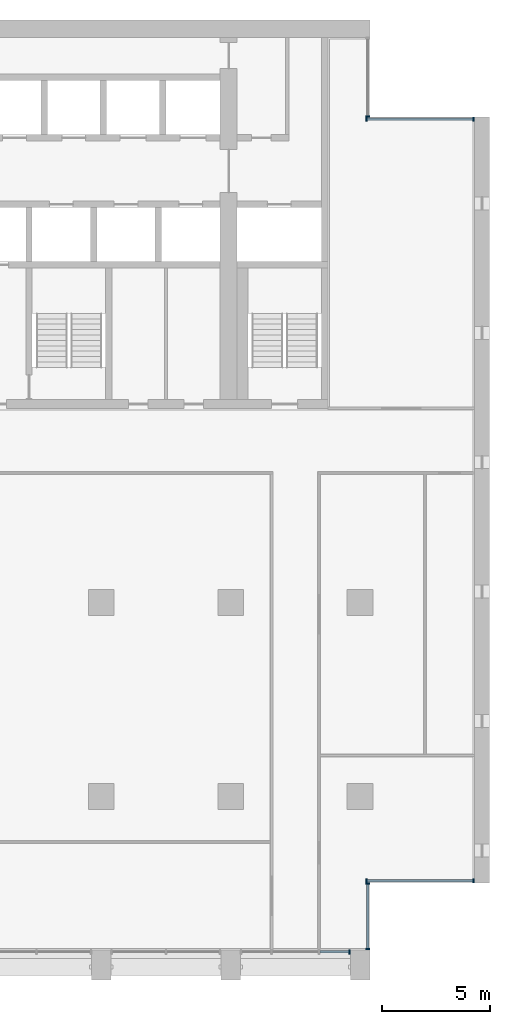
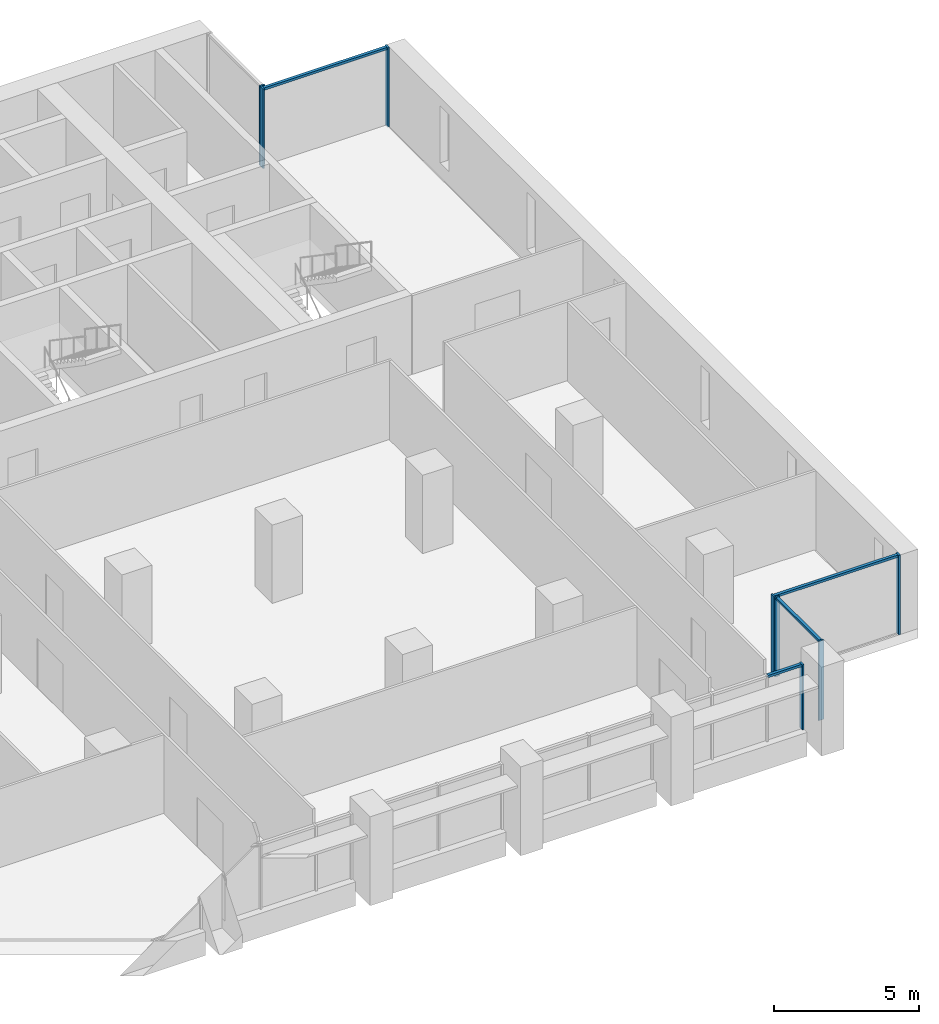
# One storey, part 5 of 15: 12 members, 5 elements without a shape of their own.
"""IFC4 building model written with IfcOpenShell, lengths in metres."""

from ifc_helpers import new_model, si_unit, direction, frame, origin, origin_2d, place, context, subcontext, project, spatial, rectangle, extrude, material, material_profile, profile_set, type_object, element, aggregate, save


model = new_model("IFC4")

# Units and contexts
model_context = context("Model", 3, precision=1e-05, world=origin(), true_north=direction((0.0, 1.0)))
body_context = subcontext(model_context, "Body", "Model", "MODEL_VIEW")
ifc_project = project(units=[si_unit("LENGTHUNIT", "METRE"), si_unit("AREAUNIT", "SQUARE_METRE"), si_unit("VOLUMEUNIT", "CUBIC_METRE"), si_unit("PLANEANGLEUNIT", "RADIAN"), si_unit("MASSUNIT", "GRAM", prefix="KILO")], contexts=[model_context])

# Site, building, storey
site_placement = place(None, origin())
site = spatial("IfcSite", under=ifc_project, at=site_placement, CompositionType="ELEMENT")
building_placement = place(site_placement, origin())
building = spatial("IfcBuilding", under=site, at=building_placement, Name="Calvaro Tower", CompositionType="ELEMENT")
storey_placement = place(building_placement, frame((0.0, 0.0, 151.25)))
storey = spatial("IfcBuildingStorey", under=building, at=storey_placement, Name="L38", CompositionType="ELEMENT", Elevation=151.25)

# Curtain wall, member
ifc_material_1 = material(Name="Anodised aluminium", Category="aluminium")
curtain_wall_type = type_object("IfcCurtainWallType", Name="Office curtain wall, middle zone", PredefinedType="NOTDEFINED", material=ifc_material_1)
curtain_wall_1_placement = place(storey_placement, origin())
curtain_wall_1 = element("IfcCurtainWall", 1, at=curtain_wall_1_placement, inside=storey, type_object=curtain_wall_type, Name="CW2 south curtain wall", PredefinedType="NOTDEFINED")
ifc_material_2 = material(Name="Anodised aluminium", Category="aluminium")
ifc_material_profile_1 = material_profile(ifc_material_2, rectangle(XDim=0.199951171875, YDim=0.070068359375, at=origin_2d()), Name="Mullion S2 70 x 200")
ifc_profile_set_1 = profile_set([ifc_material_profile_1], Name="Anodised aluminium")
member_type_1 = type_object("IfcMemberType", Name="Mullion S2 70 x 200", PredefinedType="MULLION", material=ifc_profile_set_1)
member_1_placement = place(storey_placement, frame((65.514892578125, 2.800048828125, 0.0), z_axis=(0.0, 0.0, 1.0), x_axis=(0.0, 1.0, 0.0)))
member_1 = element("IfcMember", 2, at=member_1_placement, type_object=member_type_1, Name="CW2 mullion 4", PredefinedType="MULLION", context=body_context, shape_type="SweptSolid", body=[
    extrude(rectangle(XDim=0.199951171875, YDim=0.070068359375, at=origin_2d()), origin(), (0.0, 0.0, 1.0), 2.75),
])

# Curtain wall, members
curtain_wall_2_placement = place(storey_placement, origin())
curtain_wall_2 = element("IfcCurtainWall", 3, at=curtain_wall_2_placement, inside=storey, type_object=curtain_wall_type, Name="CW2 corner curtain wall", PredefinedType="NOTDEFINED")
member_2_placement = place(storey_placement, frame((66.35009765625, 2.93505859375, 0.0), z_axis=(0.0, 0.0, 1.0), x_axis=(-1.0, 0.0, 0.0)))
member_2 = element("IfcMember", 4, at=member_2_placement, type_object=member_type_1, Name="CW2 mullion 1", PredefinedType="MULLION", context=body_context, shape_type="SweptSolid", body=[
    extrude(rectangle(XDim=0.199951171875, YDim=0.070068359375, at=origin_2d()), origin(), (0.0, 0.0, 1.0), 3.35009765625),
])
member_3_placement = place(storey_placement, frame((66.35009765625, 5.965087890625, 0.0), z_axis=(0.0, 0.0, 1.0), x_axis=(-1.0, 0.0, 0.0)))
member_3 = element("IfcMember", 5, at=member_3_placement, type_object=member_type_1, Name="CW2 mullion 2", PredefinedType="MULLION", context=body_context, shape_type="SweptSolid", body=[
    extrude(rectangle(XDim=0.199951171875, YDim=0.070068359375, at=origin_2d()), origin(), (0.0, 0.0, 1.0), 3.35009765625),
])

curtain_wall_3_placement = place(storey_placement, origin())
curtain_wall_3 = element("IfcCurtainWall", 6, at=curtain_wall_3_placement, inside=storey, type_object=curtain_wall_type, Name="CW2 corner curtain wall", PredefinedType="NOTDEFINED")
member_4_placement = place(storey_placement, frame((66.284912109375, 6.10009765625, 0.0), z_axis=(0.0, 0.0, 1.0), x_axis=(0.0, 1.0, 0.0)))
member_4 = element("IfcMember", 7, at=member_4_placement, type_object=member_type_1, Name="CW2 mullion 1", PredefinedType="MULLION", context=body_context, shape_type="SweptSolid", body=[
    extrude(rectangle(XDim=0.199951171875, YDim=0.070068359375, at=origin_2d()), origin(), (0.0, 0.0, 1.0), 3.35009765625),
])
member_5_placement = place(storey_placement, frame((71.264892578125, 6.10009765625, 0.0), z_axis=(0.0, 0.0, 1.0), x_axis=(0.0, 1.0, 0.0)))
member_5 = element("IfcMember", 8, at=member_5_placement, type_object=member_type_1, Name="CW2 mullion 2", PredefinedType="MULLION", context=body_context, shape_type="SweptSolid", body=[
    extrude(rectangle(XDim=0.199951171875, YDim=0.070068359375, at=origin_2d()), origin(), (0.0, 0.0, 1.0), 3.35009765625),
])

# Curtain wall, member
curtain_wall_4_placement = place(storey_placement, origin())
curtain_wall_4 = element("IfcCurtainWall", 9, at=curtain_wall_4_placement, inside=storey, type_object=curtain_wall_type, Name="CW2 corner curtain wall", PredefinedType="NOTDEFINED")
member_6_placement = place(storey_placement, frame((66.35009765625, 41.534912109375, 0.0), z_axis=(0.0, 0.0, 1.0), x_axis=(-1.0, 0.0, 0.0)))
member_6 = element("IfcMember", 10, at=member_6_placement, type_object=member_type_1, Name="CW2 mullion 1", PredefinedType="MULLION", context=body_context, shape_type="SweptSolid", body=[
    extrude(rectangle(XDim=0.199951171875, YDim=0.070068359375, at=origin_2d()), origin(), (0.0, 0.0, 1.0), 3.35009765625),
])
aggregate(curtain_wall_4, [member_6])

# Curtain wall, members
curtain_wall_5_placement = place(storey_placement, origin())
curtain_wall_5 = element("IfcCurtainWall", 11, at=curtain_wall_5_placement, inside=storey, type_object=curtain_wall_type, Name="CW2 corner curtain wall", PredefinedType="NOTDEFINED")
member_7_placement = place(storey_placement, frame((66.284912109375, 41.39990234375, 0.0), z_axis=(0.0, 0.0, 1.0), x_axis=(0.0, 1.0, 0.0)))
member_7 = element("IfcMember", 12, at=member_7_placement, type_object=member_type_1, Name="CW2 mullion 1", PredefinedType="MULLION", context=body_context, shape_type="SweptSolid", body=[
    extrude(rectangle(XDim=0.199951171875, YDim=0.070068359375, at=origin_2d()), origin(), (0.0, 0.0, 1.0), 3.35009765625),
])
member_8_placement = place(storey_placement, frame((71.264892578125, 41.39990234375, 0.0), z_axis=(0.0, 0.0, 1.0), x_axis=(0.0, 1.0, 0.0)))
member_8 = element("IfcMember", 13, at=member_8_placement, type_object=member_type_1, Name="CW2 mullion 2", PredefinedType="MULLION", context=body_context, shape_type="SweptSolid", body=[
    extrude(rectangle(XDim=0.199951171875, YDim=0.070068359375, at=origin_2d()), origin(), (0.0, 0.0, 1.0), 3.35009765625),
])

# Member
ifc_material_3 = material(Name="Anodised aluminium", Category="aluminium")
ifc_material_profile_2 = material_profile(ifc_material_3, rectangle(XDim=0.1201171875, YDim=0.10009765625, at=origin_2d()), Name="Transom S2 100 x 120")
ifc_profile_set_2 = profile_set([ifc_material_profile_2], Name="Anodised aluminium")
member_type_2 = type_object("IfcMemberType", Name="Transom S2 100 x 120", PredefinedType="USERDEFINED", material=ifc_profile_set_2)
member_9_placement = place(storey_placement, frame((64.135009765625, 2.800048828125, 2.699951171875), z_axis=(1.0, 0.0, 0.0), x_axis=(0.0, 1.0, 0.0)))
member_9 = element("IfcMember", 14, at=member_9_placement, type_object=member_type_2, Name="CW2 transom 3.1", ObjectType="TRANSOM", PredefinedType="USERDEFINED", context=body_context, shape_type="SweptSolid", body=[
    extrude(rectangle(XDim=0.1201171875, YDim=0.10009765625, at=origin_2d()), origin(), (0.0, 0.0, 1.0), 1.344970703125),
])

aggregate(curtain_wall_1, [member_1, member_9])

member_10_placement = place(storey_placement, frame((66.35009765625, 2.969970703125, 3.300048828125), z_axis=(0.0, 1.0, 0.0), x_axis=(-1.0, 0.0, 0.0)))
member_10 = element("IfcMember", 15, at=member_10_placement, type_object=member_type_2, Name="CW2 transom 1.1", ObjectType="TRANSOM", PredefinedType="USERDEFINED", context=body_context, shape_type="SweptSolid", body=[
    extrude(rectangle(XDim=0.1201171875, YDim=0.10009765625, at=origin_2d()), origin(), (0.0, 0.0, 1.0), 2.9599609375),
])

aggregate(curtain_wall_2, [member_2, member_3, member_10])

member_11_placement = place(storey_placement, frame((66.320068359375, 6.10009765625, 3.300048828125), z_axis=(1.0, 0.0, 0.0), x_axis=(0.0, 1.0, 0.0)))
member_11 = element("IfcMember", 16, at=member_11_placement, type_object=member_type_2, Name="CW2 transom 1.1", ObjectType="TRANSOM", PredefinedType="USERDEFINED", context=body_context, shape_type="SweptSolid", body=[
    extrude(rectangle(XDim=0.1201171875, YDim=0.10009765625, at=origin_2d()), origin(), (0.0, 0.0, 1.0), 4.909912109375),
])

aggregate(curtain_wall_3, [member_4, member_5, member_11])

member_12_placement = place(storey_placement, frame((66.320068359375, 41.39990234375, 3.300048828125), z_axis=(1.0, 0.0, 0.0), x_axis=(0.0, 1.0, 0.0)))
member_12 = element("IfcMember", 17, at=member_12_placement, type_object=member_type_2, Name="CW2 transom 1.1", ObjectType="TRANSOM", PredefinedType="USERDEFINED", context=body_context, shape_type="SweptSolid", body=[
    extrude(rectangle(XDim=0.1201171875, YDim=0.10009765625, at=origin_2d()), origin(), (0.0, 0.0, 1.0), 4.909912109375),
])

aggregate(curtain_wall_5, [member_7, member_8, member_12])

save(model, "model.ifc")
